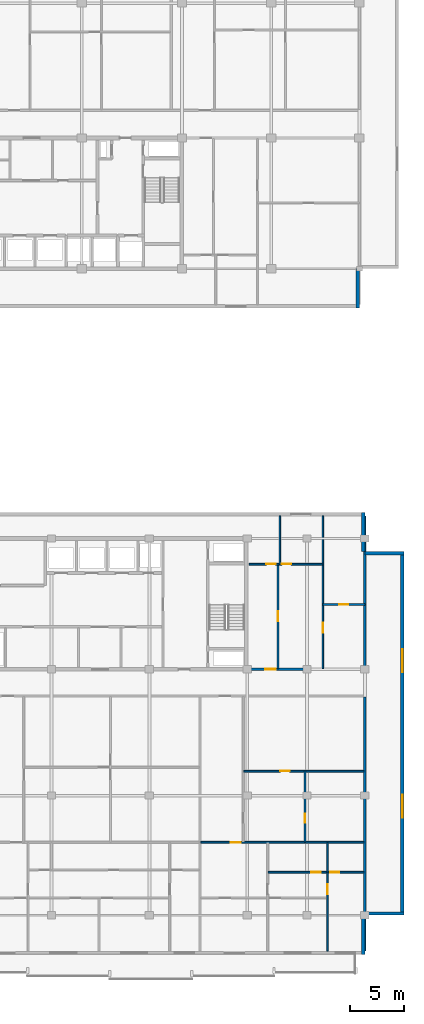
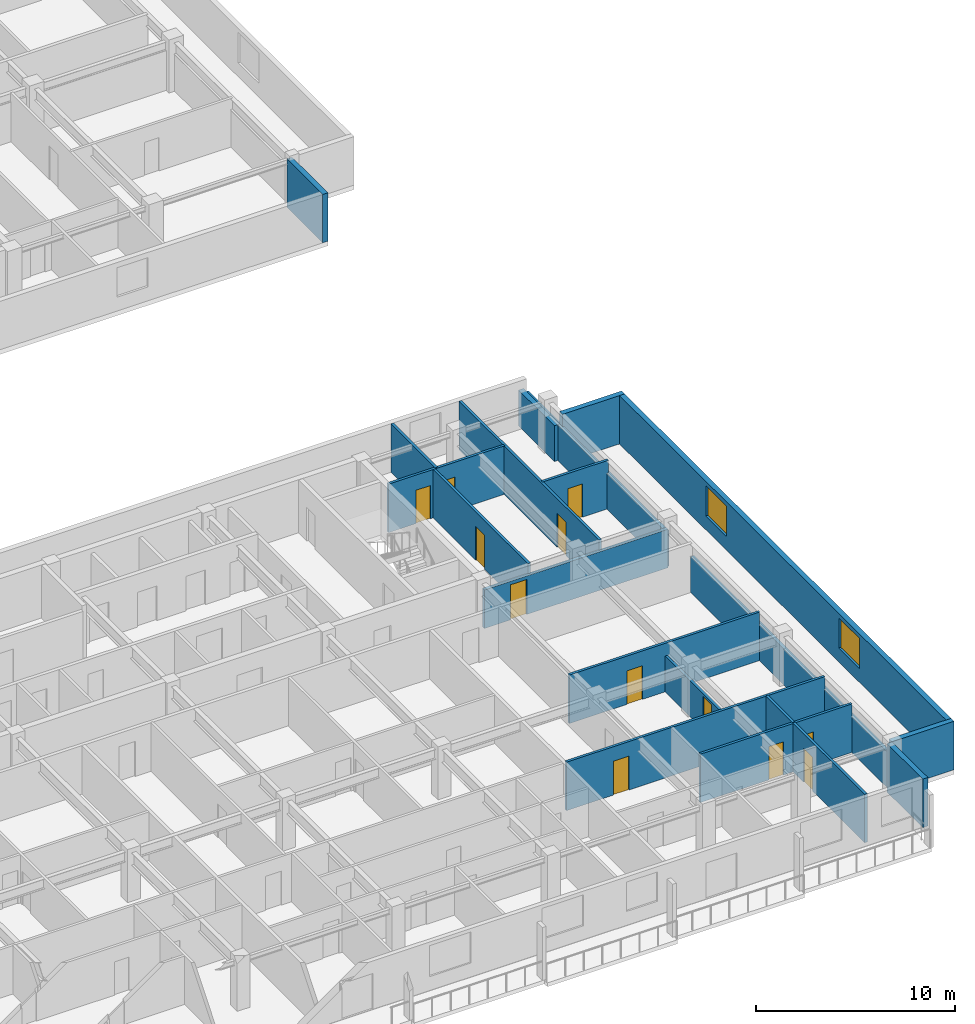
# One storey, part 10 of 23: 20 walls, 12 doors, 2 windows, 14 openings.
"""IFC4 building model written with IfcOpenShell, lengths in metres."""

from ifc_helpers import new_model, si_unit, direction, frame, frame_2d, origin, place, context, subcontext, project, spatial, rectangle, extrude, material, layer, layer_set, type_object, element, fill, save


model = new_model("IFC4")

# Units and contexts
model_context = context("Model", 3, precision=1e-05, world=origin(), true_north=direction((0.0, 1.0)))
body_context = subcontext(model_context, "Body", "Model", "MODEL_VIEW")
ifc_project = project(units=[si_unit("LENGTHUNIT", "METRE"), si_unit("AREAUNIT", "SQUARE_METRE"), si_unit("VOLUMEUNIT", "CUBIC_METRE"), si_unit("PLANEANGLEUNIT", "RADIAN"), si_unit("MASSUNIT", "GRAM", prefix="KILO")], contexts=[model_context])

# Site, building, storey
site_placement = place(None, origin())
site = spatial("IfcSite", under=ifc_project, at=site_placement, CompositionType="ELEMENT")
building_placement = place(site_placement, origin())
building = spatial("IfcBuilding", under=site, at=building_placement, Name="Korimba Cascade Residences", CompositionType="ELEMENT")
storey_placement = place(building_placement, frame((0.0, 0.0, 165.35009765625)))
storey = spatial("IfcBuildingStorey", under=building, at=storey_placement, Name="L47", CompositionType="ELEMENT", Elevation=165.35009765625)

# Walls
ifc_material_1 = material(Name="Precast concrete C40/50", Category="concrete")
ifc_layer_1 = layer(ifc_material_1, 0.300048828125)
ifc_layer_set_1 = layer_set([ifc_layer_1], Name="Precast concrete C40/50")
wall_type_1 = type_object("IfcWallType", Name="EW-STONE-300", PredefinedType="STANDARD", material=ifc_layer_set_1)
wall_1_placement = place(storey_placement, frame((128.25, 51.60009765625, 0.0), z_axis=(0.0, 0.0, 1.0), x_axis=(0.0, 1.0, 0.0)))
element("IfcWall", 1, at=wall_1_placement, inside=storey, type_object=wall_type_1, Name="L47 T1 Perimeter Stone Wall E01", PredefinedType="STANDARD", context=body_context, shape_type="SweptSolid", body=[
    extrude(rectangle(XDim=3.599853515625, YDim=0.300048828125, at=frame_2d((1.7998046875, 0.0))), origin(), (0.0, 0.0, 1.0), 2.969970703125),
])
for number, where, z_axis, x_axis, name in (
    (2, (128.75, -7.800048828125, 0.0), (0.0, 0.0, 1.0), (0.0, 1.0, 0.0), "L47 T2 Perimeter Stone Wall E01"),
    (3, (128.89990234375, -4.050048828125, 0.0), (0.0, 0.0, 1.0), (1.0, 0.0, 0.0), "L47 T2 Perimeter Stone Wall E02"),
):
    element("IfcWall", number, at=place(storey_placement, frame(where, z_axis=z_axis, x_axis=x_axis)), inside=storey, type_object=wall_type_1, Name=name, PredefinedType="STANDARD", context=body_context, shape_type="SweptSolid", body=[
        extrude(rectangle(XDim=3.60009765625, YDim=0.300048828125, at=frame_2d((1.800048828125, 0.0))), origin(), (0.0, 0.0, 1.0), 2.969970703125),
    ])

# Wall, openings, windows
wall_2_placement = place(storey_placement, frame((132.35009765625, -4.199951171875, 0.0), z_axis=(0.0, 0.0, 1.0), x_axis=(0.0, 1.0, 0.0)))
wall_2 = element("IfcWall", 4, at=wall_2_placement, inside=storey, type_object=wall_type_1, Name="L47 T2 Perimeter Stone Wall E03", PredefinedType="STANDARD", context=body_context, shape_type="SweptSolid", body=[
    extrude(rectangle(XDim=33.39990234375, YDim=0.300048828125, at=frame_2d((16.699951171875, 0.0))), origin(), (0.0, 0.0, 1.0), 2.969970703125),
])
opening_1_placement = place(wall_2_placement, frame((8.969970703125, 0.0, 0.85009765625)))
opening_1 = element("IfcOpeningElement", 5, at=opening_1_placement, cuts=wall_2, Name="Opening W-03", PredefinedType="OPENING", context=body_context, shape_type="SweptSolid", body=[
    extrude(rectangle(XDim=2.10009765625, YDim=1.85009765625, at=frame_2d((1.050048828125, 0.925048828125))), frame((0.0, 0.16015625, 0.0), z_axis=(0.0, -1.0, 0.0), x_axis=(1.0, 0.0, 0.0)), (0.0, 0.0, 1.0), 0.320068359375),
])
opening_2_placement = place(wall_2_placement, frame((22.330078125, 0.0, 0.85009765625)))
opening_2 = element("IfcOpeningElement", 6, at=opening_2_placement, cuts=wall_2, Name="Opening W-03", PredefinedType="OPENING", context=body_context, shape_type="SweptSolid", body=[
    extrude(rectangle(XDim=2.10009765625, YDim=1.85009765625, at=frame_2d((1.050048828125, 0.925048828125))), frame((0.0, 0.16015625, 0.0), z_axis=(0.0, -1.0, 0.0), x_axis=(1.0, 0.0, 0.0)), (0.0, 0.0, 1.0), 0.320068359375),
])
ifc_material_2 = material(Name="Double-Glazed Aluminium Window", Category="aluminium")
window_type = type_object("IfcWindowType", Name="WIN-CRN-2100", PartitioningType="DOUBLE_PANEL_HORIZONTAL", PredefinedType="WINDOW", material=ifc_material_2)
window_1_placement = place(opening_1_placement, origin())
window_1 = element("IfcWindow", 7, at=window_1_placement, inside=storey, type_object=window_type, Name="L47 T2 End View Window 3.1", OverallHeight=1.85009765625, OverallWidth=2.10009765625, PartitioningType="DOUBLE_PANEL_HORIZONTAL", PredefinedType="WINDOW", context=body_context, shape_type="SweptSolid", body=[
    extrude(rectangle(XDim=2.10009765625, YDim=1.85009765625, at=frame_2d((1.050048828125, 0.925048828125))), frame((0.0, 0.030029296875, 0.0), z_axis=(0.0, -1.0, 0.0), x_axis=(1.0, 0.0, 0.0)), (0.0, 0.0, 1.0), 0.06005859375),
])
fill(opening_1, window_1)
window_2_placement = place(opening_2_placement, origin())
window_2 = element("IfcWindow", 8, at=window_2_placement, inside=storey, type_object=window_type, Name="L47 T2 End View Window 3.2", OverallHeight=1.85009765625, OverallWidth=2.10009765625, PartitioningType="DOUBLE_PANEL_HORIZONTAL", PredefinedType="WINDOW", context=body_context, shape_type="SweptSolid", body=[
    extrude(rectangle(XDim=2.10009765625, YDim=1.85009765625, at=frame_2d((1.050048828125, 0.925048828125))), frame((0.0, 0.030029296875, 0.0), z_axis=(0.0, -1.0, 0.0), x_axis=(1.0, 0.0, 0.0)), (0.0, 0.0, 1.0), 0.06005859375),
])
fill(opening_2, window_2)

# Walls
wall_3_placement = place(storey_placement, frame((132.5, 29.050048828125, 0.0), z_axis=(0.0, 0.0, 1.0), x_axis=(-1.0, 0.0, 0.0)))
element("IfcWall", 9, at=wall_3_placement, inside=storey, type_object=wall_type_1, Name="L47 T2 Perimeter Stone Wall E04", PredefinedType="STANDARD", context=body_context, shape_type="SweptSolid", body=[
    extrude(rectangle(XDim=3.60009765625, YDim=0.300048828125, at=frame_2d((1.800048828125, 0.0))), origin(), (0.0, 0.0, 1.0), 2.969970703125),
])
wall_4_placement = place(storey_placement, frame((128.75, 29.199951171875, 0.0), z_axis=(0.0, 0.0, 1.0), x_axis=(0.0, 1.0, 0.0)))
element("IfcWall", 10, at=wall_4_placement, inside=storey, type_object=wall_type_1, Name="L47 T2 Perimeter Stone Wall E05", PredefinedType="STANDARD", context=body_context, shape_type="SweptSolid", body=[
    extrude(rectangle(XDim=3.60009765625, YDim=0.300048828125, at=frame_2d((1.800048828125, 0.0))), origin(), (0.0, 0.0, 1.0), 2.2001953125),
])
ifc_layer_2 = layer(ifc_material_1, 0.199951171875)
ifc_layer_set_2 = layer_set([ifc_layer_2], Name="Precast concrete C40/50")
wall_type_2 = type_object("IfcWallType", Name="WAL-IT-200", PredefinedType="PARTITIONING", material=ifc_layer_set_2)
wall_5_placement = place(storey_placement, frame((128.89990234375, 18.39990234375, 0.0), z_axis=(0.0, 0.0, 1.0), x_axis=(0.0, 1.0, 0.0)))
element("IfcWall", 11, at=wall_5_placement, inside=storey, type_object=wall_type_2, Name="L47 Partition Wall WAL-L47-T2-FE-WR", PredefinedType="PARTITIONING", context=body_context, shape_type="SweptSolid", body=[
    extrude(rectangle(XDim=14.10009765625, YDim=0.199951171875, at=frame_2d((7.050048828125, 0.0))), origin(), (0.0, 0.0, 1.0), 2.2001953125),
])

# Wall, opening, door
wall_6_placement = place(storey_placement, frame((118.25, 18.39990234375, 0.0), z_axis=(0.0, 0.0, 1.0), x_axis=(1.0, 0.0, 0.0)))
wall_6 = element("IfcWall", 12, at=wall_6_placement, inside=storey, type_object=wall_type_2, Name="L47 Partition Wall WAL-L47-T2-FE-S", PredefinedType="PARTITIONING", context=body_context, shape_type="SweptSolid", body=[
    extrude(rectangle(XDim=10.64990234375, YDim=0.199951171875, at=frame_2d((5.324951171875, 0.0))), origin(), (0.0, 0.0, 1.0), 2.357666015625),
])
opening_3_placement = place(wall_6_placement, frame((1.510009765625, 0.0, 0.0)))
opening_3 = element("IfcOpeningElement", 13, at=opening_3_placement, cuts=wall_6, Name="Opening D-UN1", PredefinedType="OPENING", context=body_context, shape_type="SweptSolid", body=[
    extrude(rectangle(XDim=0.949951171875, YDim=2.14990234375, at=frame_2d((0.47509765625, 1.074951171875))), frame((0.0, 0.10986328125, 0.0), z_axis=(0.0, -1.0, 0.0), x_axis=(1.0, 0.0, 0.0)), (0.0, 0.0, 1.0), 0.219970703125),
])
ifc_material_3 = material(Name="Fire-Rated Hardwood Apartment Entrance Door", Category="wood")
door_type_1 = type_object("IfcDoorType", Name="DR-FD60-950", OperationType="NOTDEFINED", PredefinedType="DOOR", material=ifc_material_3)
door_1_placement = place(opening_3_placement, origin())
door_1 = element("IfcDoor", 14, at=door_1_placement, inside=storey, type_object=door_type_1, Name="L47-T2-FE Entrance Door", OperationType="SINGLE_SWING_LEFT", OverallHeight=2.14990234375, OverallWidth=0.949951171875, PredefinedType="DOOR", context=body_context, shape_type="SweptSolid", body=[
    extrude(rectangle(XDim=0.949951171875, YDim=2.14990234375, at=frame_2d((0.47509765625, 1.074951171875))), frame((0.0, 0.02490234375, 0.0), z_axis=(0.0, -1.0, 0.0), x_axis=(1.0, 0.0, 0.0)), (0.0, 0.0, 1.0), 0.050048828125),
])
fill(opening_3, door_1)

# Wall
wall_7_placement = place(storey_placement, frame((128.89990234375, -7.5, 0.0), z_axis=(0.0, 0.0, 1.0), x_axis=(0.0, 1.0, 0.0)))
element("IfcWall", 15, at=wall_7_placement, inside=storey, type_object=wall_type_2, Name="L47 Partition Wall WAL-L47-T2-BNDWR", PredefinedType="PARTITIONING", context=body_context, shape_type="SweptSolid", body=[
    extrude(rectangle(XDim=23.3701171875, YDim=0.199951171875, at=frame_2d((11.68505859375, 0.0))), origin(), (0.0, 0.0, 1.0), 2.2001953125),
])

# Wall, opening, door
ifc_material_4 = material(Name="Insulated Acoustic Stud Partition", Category="gypsum")
ifc_layer_3 = layer(ifc_material_4, 0.14990234375)
ifc_layer_set_3 = layer_set([ifc_layer_3], Name="Insulated Acoustic Stud Partition")
wall_type_3 = type_object("IfcWallType", Name="WAL-PART-150", PredefinedType="PARTITIONING", material=ifc_layer_set_3)
wall_8_placement = place(storey_placement, frame((125.050048828125, 24.35009765625, 0.0), z_axis=(0.0, 0.0, 1.0), x_axis=(1.0, 0.0, 0.0)))
wall_8 = element("IfcWall", 16, at=wall_8_placement, inside=storey, type_object=wall_type_3, Name="L47 Partition Wall WAL-L47-T2-FE-STH", PredefinedType="PARTITIONING", context=body_context, shape_type="SweptSolid", body=[
    extrude(rectangle(XDim=3.849853515625, YDim=0.14990234375, at=frame_2d((1.9248046875, 0.0))), origin(), (0.0, 0.0, 1.0), 2.969970703125),
])
opening_4_placement = place(wall_8_placement, frame((1.5048828125, 0.0, 0.0)))
opening_4 = element("IfcOpeningElement", 17, at=opening_4_placement, cuts=wall_8, Name="Opening D-BT1", PredefinedType="OPENING", context=body_context, shape_type="SweptSolid", body=[
    extrude(rectangle(XDim=0.840087890625, YDim=2.0400390625, at=frame_2d((0.419921875, 1.02001953125))), frame((0.0, 0.0849609375, 0.0), z_axis=(0.0, -1.0, 0.0), x_axis=(1.0, 0.0, 0.0)), (0.0, 0.0, 1.0), 0.169921875),
])
ifc_material_5 = material(Name="Moisture-Resistant Bathroom Timber Door", Category="wood")
door_type_2 = type_object("IfcDoorType", Name="DR-INT-850", OperationType="NOTDEFINED", PredefinedType="DOOR", material=ifc_material_5)
door_2_placement = place(opening_4_placement, origin())
door_2 = element("IfcDoor", 18, at=door_2_placement, inside=storey, type_object=door_type_2, Name="L47-T2-FE Dressing Store Door", OperationType="SINGLE_SWING_RIGHT", OverallHeight=2.0400390625, OverallWidth=0.840087890625, PredefinedType="DOOR", context=body_context, shape_type="SweptSolid", body=[
    extrude(rectangle(XDim=0.840087890625, YDim=2.0400390625, at=frame_2d((0.419921875, 1.02001953125))), frame((0.0, 0.02490234375, 0.0), z_axis=(0.0, -1.0, 0.0), x_axis=(1.0, 0.0, 0.0)), (0.0, 0.0, 1.0), 0.050048828125),
])
fill(opening_4, door_2)

wall_9_placement = place(storey_placement, frame((125.050048828125, 18.449951171875, 0.0), z_axis=(0.0, 0.0, 1.0), x_axis=(0.0, 1.0, 0.0)))
wall_9 = element("IfcWall", 19, at=wall_9_placement, inside=storey, type_object=wall_type_3, Name="L47 Partition Wall WAL-L47-T2-FE-STV", PredefinedType="PARTITIONING", context=body_context, shape_type="SweptSolid", body=[
    extrude(rectangle(XDim=14.050048828125, YDim=0.14990234375, at=frame_2d((7.02490234375, 0.0))), origin(), (0.0, 0.0, 1.0), 2.969970703125),
])
opening_5_placement = place(wall_9_placement, frame((3.320068359375, 0.0, 0.0)))
opening_5 = element("IfcOpeningElement", 20, at=opening_5_placement, cuts=wall_9, Name="Opening D-IN2", PredefinedType="OPENING", context=body_context, shape_type="SweptSolid", body=[
    extrude(rectangle(XDim=0.8798828125, YDim=2.06005859375, at=frame_2d((0.43994140625, 1.030029296875))), frame((0.0, 0.0849609375, 0.0), z_axis=(0.0, -1.0, 0.0), x_axis=(1.0, 0.0, 0.0)), (0.0, 0.0, 1.0), 0.169921875),
])
ifc_material_6 = material(Name="Acoustic Timber Bedroom Door", Category="wood")
door_type_3 = type_object("IfcDoorType", Name="DR-INT-880", OperationType="NOTDEFINED", PredefinedType="DOOR", material=ifc_material_6)
door_3_placement = place(opening_5_placement, origin())
door_3 = element("IfcDoor", 21, at=door_3_placement, inside=storey, type_object=door_type_3, Name="L47-T2-FE Study Door", OperationType="SINGLE_SWING_LEFT", OverallHeight=2.06005859375, OverallWidth=0.8798828125, PredefinedType="DOOR", context=body_context, shape_type="SweptSolid", body=[
    extrude(rectangle(XDim=0.8798828125, YDim=2.06005859375, at=frame_2d((0.43994140625, 1.030029296875))), frame((0.0, 0.02490234375, 0.0), z_axis=(0.0, -1.0, 0.0), x_axis=(1.0, 0.0, 0.0)), (0.0, 0.0, 1.0), 0.050048828125),
])
fill(opening_5, door_3)

wall_10_placement = place(storey_placement, frame((120.929931640625, 18.449951171875, 0.0), z_axis=(0.0, 0.0, 1.0), x_axis=(0.0, 1.0, 0.0)))
wall_10 = element("IfcWall", 22, at=wall_10_placement, inside=storey, type_object=wall_type_3, Name="L47 Partition Wall WAL-L47-T2-FE-VS", PredefinedType="PARTITIONING", context=body_context, shape_type="SweptSolid", body=[
    extrude(rectangle(XDim=9.60009765625, YDim=0.14990234375, at=frame_2d((4.800048828125, 0.0))), origin(), (0.0, 0.0, 1.0), 2.969970703125),
])
opening_6_placement = place(wall_10_placement, frame((4.340087890625, 0.0, 0.0)))
opening_6 = element("IfcOpeningElement", 23, at=opening_6_placement, cuts=wall_10, Name="Opening D-IN1", PredefinedType="OPENING", context=body_context, shape_type="SweptSolid", body=[
    extrude(rectangle(XDim=0.919921875, YDim=2.080078125, at=frame_2d((0.4599609375, 1.0400390625))), frame((0.0, 0.0849609375, 0.0), z_axis=(0.0, -1.0, 0.0), x_axis=(1.0, 0.0, 0.0)), (0.0, 0.0, 1.0), 0.169921875),
])
ifc_material_7 = material(Name="Acoustic Timber Living Door", Category="wood")
door_type_4 = type_object("IfcDoorType", Name="DR-INT-920", OperationType="NOTDEFINED", PredefinedType="DOOR", material=ifc_material_7)
door_4_placement = place(opening_6_placement, origin())
door_4 = element("IfcDoor", 24, at=door_4_placement, inside=storey, type_object=door_type_4, Name="L47-T2-FE Living Door", OperationType="SINGLE_SWING_RIGHT", OverallHeight=2.080078125, OverallWidth=0.919921875, PredefinedType="DOOR", context=body_context, shape_type="SweptSolid", body=[
    extrude(rectangle(XDim=0.919921875, YDim=2.080078125, at=frame_2d((0.4599609375, 1.0400390625))), frame((0.0, 0.02490234375, 0.0), z_axis=(0.0, -1.0, 0.0), x_axis=(1.0, 0.0, 0.0)), (0.0, 0.0, 1.0), 0.050048828125),
])
fill(opening_6, door_4)

# Wall
wall_11_placement = place(storey_placement, frame((121.10009765625, 28.050048828125, 0.0), z_axis=(0.0, 0.0, 1.0), x_axis=(0.0, 1.0, 0.0)))
element("IfcWall", 25, at=wall_11_placement, inside=storey, type_object=wall_type_3, Name="L47 Partition Wall WAL-L47-T2-FE-VN", PredefinedType="PARTITIONING", context=body_context, shape_type="SweptSolid", body=[
    extrude(rectangle(XDim=4.449951171875, YDim=0.14990234375, at=frame_2d((2.22509765625, 0.0))), origin(), (0.0, 0.0, 1.0), 2.969970703125),
])

# Wall, openings, doors
wall_12_placement = place(storey_placement, frame((118.27001953125, 28.050048828125, 0.0), z_axis=(0.0, 0.0, 1.0), x_axis=(1.0, 0.0, 0.0)))
wall_12 = element("IfcWall", 26, at=wall_12_placement, inside=storey, type_object=wall_type_3, Name="L47 Partition Wall WAL-L47-T2-FE-H", PredefinedType="PARTITIONING", context=body_context, shape_type="SweptSolid", body=[
    extrude(rectangle(XDim=6.760009765625, YDim=0.14990234375, at=frame_2d((3.3798828125, 0.0))), origin(), (0.0, 0.0, 1.0), 2.969970703125),
])
opening_7_placement = place(wall_12_placement, frame((1.58740234375, 0.0, 0.0)))
opening_7 = element("IfcOpeningElement", 27, at=opening_7_placement, cuts=wall_12, Name="Opening D-BT1", PredefinedType="OPENING", context=body_context, shape_type="SweptSolid", body=[
    extrude(rectangle(XDim=0.840087890625, YDim=2.0400390625, at=frame_2d((0.419921875, 1.02001953125))), frame((0.0, 0.0849609375, 0.0), z_axis=(0.0, -1.0, 0.0), x_axis=(1.0, 0.0, 0.0)), (0.0, 0.0, 1.0), 0.169921875),
])
opening_8_placement = place(wall_12_placement, frame((2.988037109375, 0.0, 0.0)))
opening_8 = element("IfcOpeningElement", 28, at=opening_8_placement, cuts=wall_12, Name="Opening D-IN2", PredefinedType="OPENING", context=body_context, shape_type="SweptSolid", body=[
    extrude(rectangle(XDim=0.8798828125, YDim=2.06005859375, at=frame_2d((0.43994140625, 1.030029296875))), frame((0.0, 0.0849609375, 0.0), z_axis=(0.0, -1.0, 0.0), x_axis=(1.0, 0.0, 0.0)), (0.0, 0.0, 1.0), 0.169921875),
])
door_5_placement = place(opening_7_placement, origin())
door_5 = element("IfcDoor", 29, at=door_5_placement, inside=storey, type_object=door_type_2, Name="L47-T2-FE Bathroom Door", OperationType="SINGLE_SWING_LEFT", OverallHeight=2.0400390625, OverallWidth=0.840087890625, PredefinedType="DOOR", context=body_context, shape_type="SweptSolid", body=[
    extrude(rectangle(XDim=0.840087890625, YDim=2.0400390625, at=frame_2d((0.419921875, 1.02001953125))), frame((0.0, 0.02490234375, 0.0), z_axis=(0.0, -1.0, 0.0), x_axis=(1.0, 0.0, 0.0)), (0.0, 0.0, 1.0), 0.050048828125),
])
fill(opening_7, door_5)
door_6_placement = place(opening_8_placement, origin())
door_6 = element("IfcDoor", 30, at=door_6_placement, inside=storey, type_object=door_type_3, Name="L47-T2-FE Bedroom Door", OperationType="SINGLE_SWING_RIGHT", OverallHeight=2.06005859375, OverallWidth=0.8798828125, PredefinedType="DOOR", context=body_context, shape_type="SweptSolid", body=[
    extrude(rectangle(XDim=0.8798828125, YDim=2.06005859375, at=frame_2d((0.43994140625, 1.030029296875))), frame((0.0, 0.02490234375, 0.0), z_axis=(0.0, -1.0, 0.0), x_axis=(1.0, 0.0, 0.0)), (0.0, 0.0, 1.0), 0.050048828125),
])
fill(opening_8, door_6)

# Wall, opening, door
wall_13_placement = place(storey_placement, frame((123.4052734375, 2.5400390625, 0.0), z_axis=(0.0, 0.0, 1.0), x_axis=(0.0, 1.0, 0.0)))
wall_13 = element("IfcWall", 31, at=wall_13_placement, inside=storey, type_object=wall_type_3, Name="L47 Partition Wall WAL-L47-T2-U03-FMV", PredefinedType="PARTITIONING", context=body_context, shape_type="SweptSolid", body=[
    extrude(rectangle(XDim=6.494873046875, YDim=0.14990234375, at=frame_2d((3.24755859375, 0.0))), origin(), (0.0, 0.0, 1.0), 2.2001953125),
])
opening_9_placement = place(wall_13_placement, frame((1.765380859375, 0.0, 0.0)))
opening_9 = element("IfcOpeningElement", 32, at=opening_9_placement, cuts=wall_13, Name="Opening D-BT1", PredefinedType="OPENING", context=body_context, shape_type="SweptSolid", body=[
    extrude(rectangle(XDim=0.840087890625, YDim=2.0400390625, at=frame_2d((0.419921875, 1.02001953125))), frame((0.0, 0.0849609375, 0.0), z_axis=(0.0, -1.0, 0.0), x_axis=(1.0, 0.0, 0.0)), (0.0, 0.0, 1.0), 0.169921875),
])
door_7_placement = place(opening_9_placement, origin())
door_7 = element("IfcDoor", 33, at=door_7_placement, inside=storey, type_object=door_type_2, Name="L47-T2-U03 Wardrobe Door", OperationType="SINGLE_SWING_RIGHT", OverallHeight=2.0400390625, OverallWidth=0.840087890625, PredefinedType="DOOR", context=body_context, shape_type="SweptSolid", body=[
    extrude(rectangle(XDim=0.840087890625, YDim=2.0400390625, at=frame_2d((0.419921875, 1.02001953125))), frame((0.0, 0.02490234375, 0.0), z_axis=(0.0, -1.0, 0.0), x_axis=(1.0, 0.0, 0.0)), (0.0, 0.0, 1.0), 0.050048828125),
])
fill(opening_9, door_7)

wall_14_placement = place(storey_placement, frame((117.790283203125, 9.034912109375, 0.0), z_axis=(0.0, 0.0, 1.0), x_axis=(1.0, 0.0, 0.0)))
wall_14 = element("IfcWall", 34, at=wall_14_placement, inside=storey, type_object=wall_type_3, Name="L47 Partition Wall WAL-L47-T2-U03-FMH", PredefinedType="PARTITIONING", context=body_context, shape_type="SweptSolid", body=[
    extrude(rectangle(XDim=11.02978515625, YDim=0.14990234375, at=frame_2d((5.514892578125, 0.0))), origin(), (0.0, 0.0, 1.0), 2.969970703125),
])
opening_10_placement = place(wall_14_placement, frame((3.3486328125, 0.0, 0.0)))
opening_10 = element("IfcOpeningElement", 35, at=opening_10_placement, cuts=wall_14, Name="Opening D-IN2", PredefinedType="OPENING", context=body_context, shape_type="SweptSolid", body=[
    extrude(rectangle(XDim=0.8798828125, YDim=2.06005859375, at=frame_2d((0.43994140625, 1.030029296875))), frame((0.0, 0.0849609375, 0.0), z_axis=(0.0, -1.0, 0.0), x_axis=(1.0, 0.0, 0.0)), (0.0, 0.0, 1.0), 0.169921875),
])
door_8_placement = place(opening_10_placement, origin())
door_8 = element("IfcDoor", 36, at=door_8_placement, inside=storey, type_object=door_type_3, Name="L47-T2-U03 Library Salon Door", OperationType="SINGLE_SWING_LEFT", OverallHeight=2.06005859375, OverallWidth=0.8798828125, PredefinedType="DOOR", context=body_context, shape_type="SweptSolid", body=[
    extrude(rectangle(XDim=0.8798828125, YDim=2.06005859375, at=frame_2d((0.43994140625, 1.030029296875))), frame((0.0, 0.02490234375, 0.0), z_axis=(0.0, -1.0, 0.0), x_axis=(1.0, 0.0, 0.0)), (0.0, 0.0, 1.0), 0.050048828125),
])
fill(opening_10, door_8)

# Wall
wall_15_placement = place(storey_placement, frame((125.47998046875, -0.22998046875, 0.0), z_axis=(0.0, 0.0, 1.0), x_axis=(0.0, 1.0, 0.0)))
element("IfcWall", 37, at=wall_15_placement, inside=storey, type_object=wall_type_3, Name="L47 Partition Wall WAL-L47-T2-U03-VBATH", PredefinedType="PARTITIONING", context=body_context, shape_type="SweptSolid", body=[
    extrude(rectangle(XDim=2.68994140625, YDim=0.14990234375, at=frame_2d((1.344970703125, 0.0))), origin(), (0.0, 0.0, 1.0), 2.969970703125),
])

# Wall, opening, door
wall_16_placement = place(storey_placement, frame((125.47998046875, -7.5, 0.0), z_axis=(0.0, 0.0, 1.0), x_axis=(0.0, 1.0, 0.0)))
wall_16 = element("IfcWall", 38, at=wall_16_placement, inside=storey, type_object=wall_type_3, Name="L47 Partition Wall WAL-L47-T2-U03-V2FULL", PredefinedType="PARTITIONING", context=body_context, shape_type="SweptSolid", body=[
    extrude(rectangle(XDim=7.22998046875, YDim=0.14990234375, at=frame_2d((3.614990234375, 0.0))), origin(), (0.0, 0.0, 1.0), 2.969970703125),
])
opening_11_placement = place(wall_16_placement, frame((5.219970703125, 0.0, 0.0)))
opening_11 = element("IfcOpeningElement", 39, at=opening_11_placement, cuts=wall_16, Name="Opening D-IN1", PredefinedType="OPENING", context=body_context, shape_type="SweptSolid", body=[
    extrude(rectangle(XDim=0.919921875, YDim=2.080078125, at=frame_2d((0.4599609375, 1.0400390625))), frame((0.0, 0.0849609375, 0.0), z_axis=(0.0, -1.0, 0.0), x_axis=(1.0, 0.0, 0.0)), (0.0, 0.0, 1.0), 0.169921875),
])
door_9_placement = place(opening_11_placement, origin())
door_9 = element("IfcDoor", 40, at=door_9_placement, inside=storey, type_object=door_type_4, Name="L47-T2-U03 Master Bedroom Door", OperationType="SINGLE_SWING_RIGHT", OverallHeight=2.080078125, OverallWidth=0.919921875, PredefinedType="DOOR", context=body_context, shape_type="SweptSolid", body=[
    extrude(rectangle(XDim=0.919921875, YDim=2.080078125, at=frame_2d((0.4599609375, 1.0400390625))), frame((0.0, 0.02490234375, 0.0), z_axis=(0.0, -1.0, 0.0), x_axis=(1.0, 0.0, 0.0)), (0.0, 0.0, 1.0), 0.050048828125),
])
fill(opening_11, door_9)

# Wall, openings, doors
wall_17_placement = place(storey_placement, frame((120.02001953125, -0.25, 0.0), z_axis=(0.0, 0.0, 1.0), x_axis=(1.0, 0.0, 0.0)))
wall_17 = element("IfcWall", 41, at=wall_17_placement, inside=storey, type_object=wall_type_3, Name="L47 Partition Wall WAL-L47-T2-U03-HWALL", PredefinedType="PARTITIONING", context=body_context, shape_type="SweptSolid", body=[
    extrude(rectangle(XDim=8.800048828125, YDim=0.14990234375, at=frame_2d((4.39990234375, 0.0))), origin(), (0.0, 0.0, 1.0), 2.969970703125),
])
opening_12_placement = place(wall_17_placement, frame((3.97998046875, 0.0, 0.0)))
opening_12 = element("IfcOpeningElement", 42, at=opening_12_placement, cuts=wall_17, Name="Opening D-BT1", PredefinedType="OPENING", context=body_context, shape_type="SweptSolid", body=[
    extrude(rectangle(XDim=0.840087890625, YDim=2.0400390625, at=frame_2d((0.419921875, 1.02001953125))), frame((0.0, 0.0849609375, 0.0), z_axis=(0.0, -1.0, 0.0), x_axis=(1.0, 0.0, 0.0)), (0.0, 0.0, 1.0), 0.169921875),
])
opening_13_placement = place(wall_17_placement, frame((5.7099609375, 0.0, 0.0)))
opening_13 = element("IfcOpeningElement", 43, at=opening_13_placement, cuts=wall_17, Name="Opening D-BT1", PredefinedType="OPENING", context=body_context, shape_type="SweptSolid", body=[
    extrude(rectangle(XDim=0.840087890625, YDim=2.0400390625, at=frame_2d((0.419921875, 1.02001953125))), frame((0.0, 0.0849609375, 0.0), z_axis=(0.0, -1.0, 0.0), x_axis=(1.0, 0.0, 0.0)), (0.0, 0.0, 1.0), 0.169921875),
])
door_10_placement = place(opening_12_placement, origin())
door_10 = element("IfcDoor", 44, at=door_10_placement, inside=storey, type_object=door_type_2, Name="L47-T2-U03 Family Bathroom Door", OperationType="SINGLE_SWING_LEFT", OverallHeight=2.0400390625, OverallWidth=0.840087890625, PredefinedType="DOOR", context=body_context, shape_type="SweptSolid", body=[
    extrude(rectangle(XDim=0.840087890625, YDim=2.0400390625, at=frame_2d((0.419921875, 1.02001953125))), frame((0.0, 0.02490234375, 0.0), z_axis=(0.0, -1.0, 0.0), x_axis=(1.0, 0.0, 0.0)), (0.0, 0.0, 1.0), 0.050048828125),
])
fill(opening_12, door_10)
door_11_placement = place(opening_13_placement, origin())
door_11 = element("IfcDoor", 45, at=door_11_placement, inside=storey, type_object=door_type_2, Name="L47-T2-U03 En-Suite Door", OperationType="SINGLE_SWING_RIGHT", OverallHeight=2.0400390625, OverallWidth=0.840087890625, PredefinedType="DOOR", context=body_context, shape_type="SweptSolid", body=[
    extrude(rectangle(XDim=0.840087890625, YDim=2.0400390625, at=frame_2d((0.419921875, 1.02001953125))), frame((0.0, 0.02490234375, 0.0), z_axis=(0.0, -1.0, 0.0), x_axis=(1.0, 0.0, 0.0)), (0.0, 0.0, 1.0), 0.050048828125),
])
fill(opening_13, door_11)

# Wall, opening, door
wall_18_placement = place(storey_placement, frame((113.84033203125, 2.5, 0.0), z_axis=(0.0, 0.0, 1.0), x_axis=(1.0, 0.0, 0.0)))
wall_18 = element("IfcWall", 46, at=wall_18_placement, inside=storey, type_object=wall_type_3, Name="L47 Partition Wall WAL-L47-T2-U03-MW", PredefinedType="PARTITIONING", context=body_context, shape_type="SweptSolid", body=[
    extrude(rectangle(XDim=14.979736328125, YDim=0.14990234375, at=frame_2d((7.48974609375, 0.0))), origin(), (0.0, 0.0, 1.0), 2.969970703125),
])
opening_14_placement = place(wall_18_placement, frame((2.719970703125, 0.0, 0.0)))
opening_14 = element("IfcOpeningElement", 47, at=opening_14_placement, cuts=wall_18, Name="Opening D-IN1", PredefinedType="OPENING", context=body_context, shape_type="SweptSolid", body=[
    extrude(rectangle(XDim=0.919921875, YDim=2.080078125, at=frame_2d((0.4599609375, 1.0400390625))), frame((0.0, 0.0849609375, 0.0), z_axis=(0.0, -1.0, 0.0), x_axis=(1.0, 0.0, 0.0)), (0.0, 0.0, 1.0), 0.169921875),
])
door_12_placement = place(opening_14_placement, origin())
door_12 = element("IfcDoor", 48, at=door_12_placement, inside=storey, type_object=door_type_4, Name="L47-T2-U03 Kitchen Door", OperationType="SINGLE_SWING_LEFT", OverallHeight=2.080078125, OverallWidth=0.919921875, PredefinedType="DOOR", context=body_context, shape_type="SweptSolid", body=[
    extrude(rectangle(XDim=0.919921875, YDim=2.080078125, at=frame_2d((0.4599609375, 1.0400390625))), frame((0.0, 0.02490234375, 0.0), z_axis=(0.0, -1.0, 0.0), x_axis=(1.0, 0.0, 0.0)), (0.0, 0.0, 1.0), 0.050048828125),
])
fill(opening_14, door_12)

save(model, "model.ifc")
